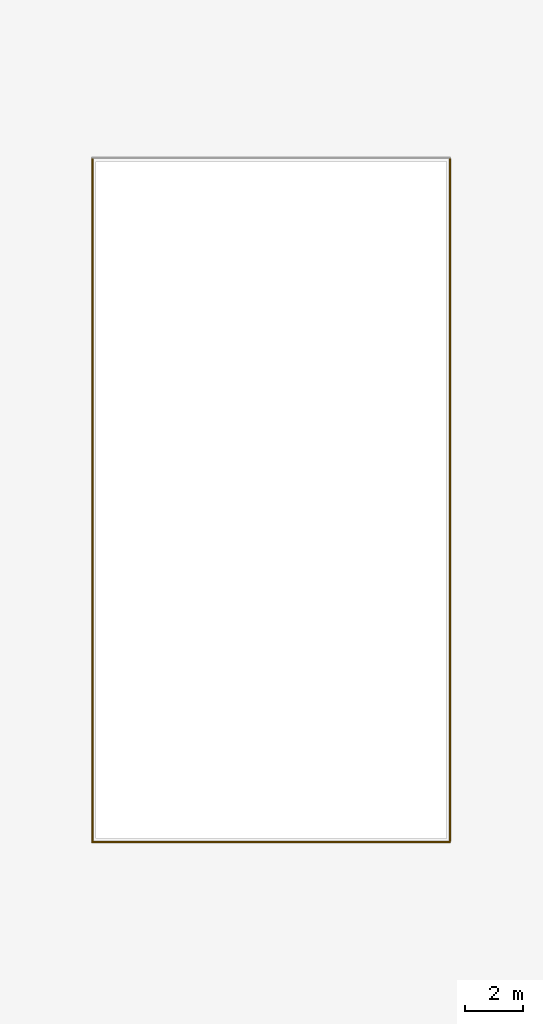
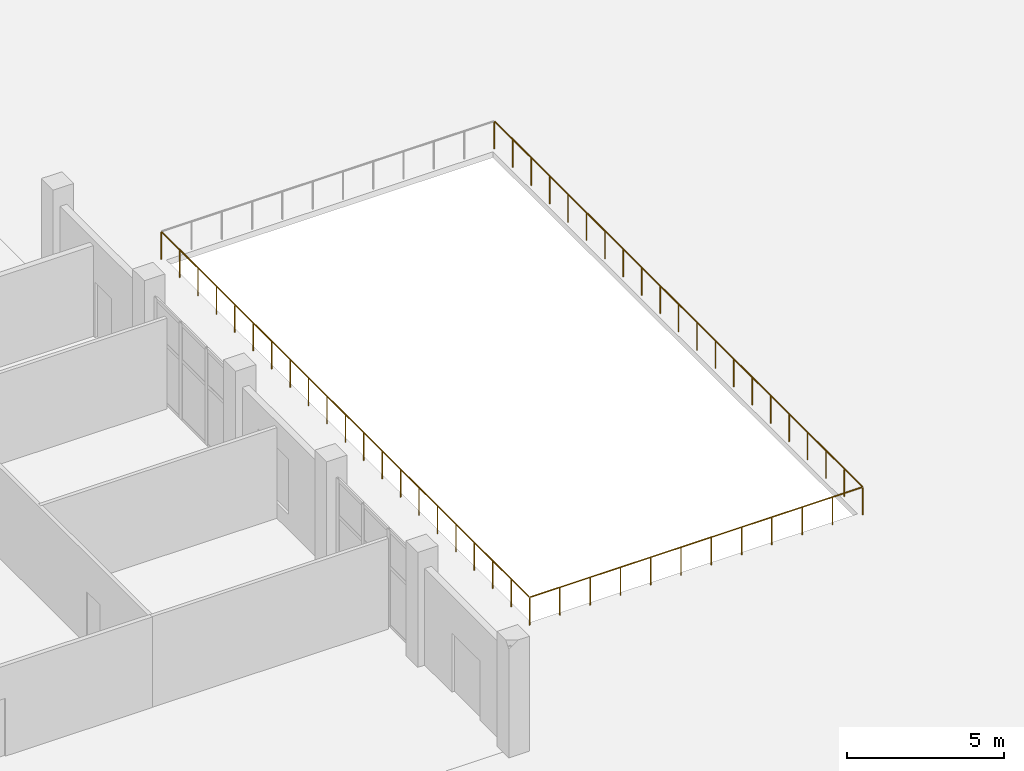
# One storey, part 120 of 132: 3 railings.
"""IFC4 building model written with IfcOpenShell, lengths in metres."""

from ifc_helpers import new_model, si_unit, direction, frame, origin, origin_2d, place, context, subcontext, project, spatial, circle, extrude, material, type_object, element, save


model = new_model("IFC4")

# Units and contexts
model_context = context("Model", 3, precision=1e-05, world=origin(), true_north=direction((0.0, 1.0)))
body_context = subcontext(model_context, "Body", "Model", "MODEL_VIEW")
ifc_project = project(units=[si_unit("LENGTHUNIT", "METRE"), si_unit("AREAUNIT", "SQUARE_METRE"), si_unit("VOLUMEUNIT", "CUBIC_METRE"), si_unit("PLANEANGLEUNIT", "RADIAN"), si_unit("MASSUNIT", "GRAM", prefix="KILO")], contexts=[model_context])

# Site, building, storey
site_placement = place(None, origin())
site = spatial("IfcSite", under=ifc_project, at=site_placement, CompositionType="ELEMENT")
building_placement = place(site_placement, origin())
building = spatial("IfcBuilding", under=site, at=building_placement, Name="Tanwirah Colonnade Gardens", CompositionType="ELEMENT")
storey_placement = place(building_placement, origin())
storey = spatial("IfcBuildingStorey", under=building, at=storey_placement, Name="L00", CompositionType="ELEMENT", Elevation=0.0)

# Railings
ifc_material = material(Name="Powder-coated galvanized steel", Category="steel")
railing_type = type_object("IfcRailingType", Name="GRD-ST110", PredefinedType="GUARDRAIL", material=ifc_material)
railing_1_placement = place(storey_placement, frame((111.8798828125, 45.47998046875, 0.0)))
element("IfcRailing", 1, at=railing_1_placement, inside=storey, type_object=railing_type, Name="Courtyard Sunken Garden Perimeter Guard 2.1", PredefinedType="GUARDRAIL", context=body_context, shape_type="SweptSolid", body=[
    extrude(circle(Radius=0.02392578125, at=origin_2d()), frame((0.03125, 0.0, 1.076171875), z_axis=(1.0, 0.0, 0.0), x_axis=(0.0, 1.0, 0.0)), (0.0, 0.0, 1.0), 12.177734375),
    extrude(circle(Radius=0.02099609375, at=origin_2d()), origin(), (0.0, 0.0, 1.0), 1.049072265625),
    extrude(circle(Radius=0.02099609375, at=origin_2d()), frame((1.11279296875, 0.0, 0.0)), (0.0, 0.0, 1.0), 1.049072265625),
    extrude(circle(Radius=0.02099609375, at=origin_2d()), frame((2.2255859375, 0.0, 0.0)), (0.0, 0.0, 1.0), 1.049072265625),
    extrude(circle(Radius=0.02099609375, at=origin_2d()), frame((3.338134765625, 0.0, 0.0)), (0.0, 0.0, 1.0), 1.049072265625),
    extrude(circle(Radius=0.02099609375, at=origin_2d()), frame((4.450927734375, 0.0, 0.0)), (0.0, 0.0, 1.0), 1.049072265625),
    extrude(circle(Radius=0.02099609375, at=origin_2d()), frame((5.563720703125, 0.0, 0.0)), (0.0, 0.0, 1.0), 1.049072265625),
    extrude(circle(Radius=0.02099609375, at=origin_2d()), frame((6.676513671875, 0.0, 0.0)), (0.0, 0.0, 1.0), 1.049072265625),
    extrude(circle(Radius=0.02099609375, at=origin_2d()), frame((7.789306640625, 0.0, 0.0)), (0.0, 0.0, 1.0), 1.049072265625),
    extrude(circle(Radius=0.02099609375, at=origin_2d()), frame((8.902099609375, 0.0, 0.0)), (0.0, 0.0, 1.0), 1.049072265625),
    extrude(circle(Radius=0.02099609375, at=origin_2d()), frame((10.0146484375, 0.0, 0.0)), (0.0, 0.0, 1.0), 1.049072265625),
    extrude(circle(Radius=0.02099609375, at=origin_2d()), frame((11.12744140625, 0.0, 0.0)), (0.0, 0.0, 1.0), 1.049072265625),
    extrude(circle(Radius=0.02099609375, at=origin_2d()), frame((12.240234375, 0.0, 0.0)), (0.0, 0.0, 1.0), 1.049072265625),
])
railing_2_placement = place(storey_placement, frame((124.1201171875, 45.47998046875, 0.0)))
element("IfcRailing", 2, at=railing_2_placement, inside=storey, type_object=railing_type, Name="Courtyard Sunken Garden Perimeter Guard 2.2", PredefinedType="GUARDRAIL", context=body_context, shape_type="SweptSolid", body=[
    extrude(circle(Radius=0.02392578125, at=origin_2d()), frame((0.0, 0.03125, 1.076171875), z_axis=(0.0, 1.0, 0.0), x_axis=(-1.0, 0.0, 0.0)), (0.0, 0.0, 1.0), 23.37744140625),
    extrude(circle(Radius=0.02099609375, at=origin_2d()), origin(), (0.0, 0.0, 1.0), 1.049072265625),
    extrude(circle(Radius=0.02099609375, at=origin_2d()), frame((0.0, 1.171875, 0.0)), (0.0, 0.0, 1.0), 1.049072265625),
    extrude(circle(Radius=0.02099609375, at=origin_2d()), frame((0.0, 2.343994140625, 0.0)), (0.0, 0.0, 1.0), 1.049072265625),
    extrude(circle(Radius=0.02099609375, at=origin_2d()), frame((0.0, 3.51611328125, 0.0)), (0.0, 0.0, 1.0), 1.049072265625),
    extrude(circle(Radius=0.02099609375, at=origin_2d()), frame((0.0, 4.68798828125, 0.0)), (0.0, 0.0, 1.0), 1.049072265625),
    extrude(circle(Radius=0.02099609375, at=origin_2d()), frame((0.0, 5.85986328125, 0.0)), (0.0, 0.0, 1.0), 1.049072265625),
    extrude(circle(Radius=0.02099609375, at=origin_2d()), frame((0.0, 7.031982421875, 0.0)), (0.0, 0.0, 1.0), 1.049072265625),
    extrude(circle(Radius=0.02099609375, at=origin_2d()), frame((0.0, 8.2041015625, 0.0)), (0.0, 0.0, 1.0), 1.049072265625),
    extrude(circle(Radius=0.02099609375, at=origin_2d()), frame((0.0, 9.3759765625, 0.0)), (0.0, 0.0, 1.0), 1.049072265625),
    extrude(circle(Radius=0.02099609375, at=origin_2d()), frame((0.0, 10.5478515625, 0.0)), (0.0, 0.0, 1.0), 1.049072265625),
    extrude(circle(Radius=0.02099609375, at=origin_2d()), frame((0.0, 11.719970703125, 0.0)), (0.0, 0.0, 1.0), 1.049072265625),
    extrude(circle(Radius=0.02099609375, at=origin_2d()), frame((0.0, 12.89208984375, 0.0)), (0.0, 0.0, 1.0), 1.049072265625),
    extrude(circle(Radius=0.02099609375, at=origin_2d()), frame((0.0, 14.06396484375, 0.0)), (0.0, 0.0, 1.0), 1.049072265625),
    extrude(circle(Radius=0.02099609375, at=origin_2d()), frame((0.0, 15.23583984375, 0.0)), (0.0, 0.0, 1.0), 1.049072265625),
    extrude(circle(Radius=0.02099609375, at=origin_2d()), frame((0.0, 16.407958984375, 0.0)), (0.0, 0.0, 1.0), 1.049072265625),
    extrude(circle(Radius=0.02099609375, at=origin_2d()), frame((0.0, 17.580078125, 0.0)), (0.0, 0.0, 1.0), 1.049072265625),
    extrude(circle(Radius=0.02099609375, at=origin_2d()), frame((0.0, 18.751953125, 0.0)), (0.0, 0.0, 1.0), 1.049072265625),
    extrude(circle(Radius=0.02099609375, at=origin_2d()), frame((0.0, 19.923828125, 0.0)), (0.0, 0.0, 1.0), 1.049072265625),
    extrude(circle(Radius=0.02099609375, at=origin_2d()), frame((0.0, 21.095947265625, 0.0)), (0.0, 0.0, 1.0), 1.049072265625),
    extrude(circle(Radius=0.02099609375, at=origin_2d()), frame((0.0, 22.26806640625, 0.0)), (0.0, 0.0, 1.0), 1.049072265625),
    extrude(circle(Radius=0.02099609375, at=origin_2d()), frame((0.0, 23.43994140625, 0.0)), (0.0, 0.0, 1.0), 1.049072265625),
])
railing_3_placement = place(storey_placement, frame((111.8798828125, 68.919921875, 0.0)))
element("IfcRailing", 3, at=railing_3_placement, inside=storey, type_object=railing_type, Name="Courtyard Sunken Garden Perimeter Guard 2.4", PredefinedType="GUARDRAIL", context=body_context, shape_type="SweptSolid", body=[
    extrude(circle(Radius=0.02392578125, at=origin_2d()), frame((0.0, -0.03125, 1.076171875), z_axis=(0.0, -1.0, 0.0), x_axis=(1.0, 0.0, 0.0)), (0.0, 0.0, 1.0), 23.37744140625),
    extrude(circle(Radius=0.02099609375, at=origin_2d()), origin(), (0.0, 0.0, 1.0), 1.049072265625),
    extrude(circle(Radius=0.02099609375, at=origin_2d()), frame((0.0, -1.171875, 0.0)), (0.0, 0.0, 1.0), 1.049072265625),
    extrude(circle(Radius=0.02099609375, at=origin_2d()), frame((0.0, -2.343994140625, 0.0)), (0.0, 0.0, 1.0), 1.049072265625),
    extrude(circle(Radius=0.02099609375, at=origin_2d()), frame((0.0, -3.51611328125, 0.0)), (0.0, 0.0, 1.0), 1.049072265625),
    extrude(circle(Radius=0.02099609375, at=origin_2d()), frame((0.0, -4.68798828125, 0.0)), (0.0, 0.0, 1.0), 1.049072265625),
    extrude(circle(Radius=0.02099609375, at=origin_2d()), frame((0.0, -5.85986328125, 0.0)), (0.0, 0.0, 1.0), 1.049072265625),
    extrude(circle(Radius=0.02099609375, at=origin_2d()), frame((0.0, -7.031982421875, 0.0)), (0.0, 0.0, 1.0), 1.049072265625),
    extrude(circle(Radius=0.02099609375, at=origin_2d()), frame((0.0, -8.2041015625, 0.0)), (0.0, 0.0, 1.0), 1.049072265625),
    extrude(circle(Radius=0.02099609375, at=origin_2d()), frame((0.0, -9.3759765625, 0.0)), (0.0, 0.0, 1.0), 1.049072265625),
    extrude(circle(Radius=0.02099609375, at=origin_2d()), frame((0.0, -10.5478515625, 0.0)), (0.0, 0.0, 1.0), 1.049072265625),
    extrude(circle(Radius=0.02099609375, at=origin_2d()), frame((0.0, -11.719970703125, 0.0)), (0.0, 0.0, 1.0), 1.049072265625),
    extrude(circle(Radius=0.02099609375, at=origin_2d()), frame((0.0, -12.89208984375, 0.0)), (0.0, 0.0, 1.0), 1.049072265625),
    extrude(circle(Radius=0.02099609375, at=origin_2d()), frame((0.0, -14.06396484375, 0.0)), (0.0, 0.0, 1.0), 1.049072265625),
    extrude(circle(Radius=0.02099609375, at=origin_2d()), frame((0.0, -15.23583984375, 0.0)), (0.0, 0.0, 1.0), 1.049072265625),
    extrude(circle(Radius=0.02099609375, at=origin_2d()), frame((0.0, -16.407958984375, 0.0)), (0.0, 0.0, 1.0), 1.049072265625),
    extrude(circle(Radius=0.02099609375, at=origin_2d()), frame((0.0, -17.580078125, 0.0)), (0.0, 0.0, 1.0), 1.049072265625),
    extrude(circle(Radius=0.02099609375, at=origin_2d()), frame((0.0, -18.751953125, 0.0)), (0.0, 0.0, 1.0), 1.049072265625),
    extrude(circle(Radius=0.02099609375, at=origin_2d()), frame((0.0, -19.923828125, 0.0)), (0.0, 0.0, 1.0), 1.049072265625),
    extrude(circle(Radius=0.02099609375, at=origin_2d()), frame((0.0, -21.095947265625, 0.0)), (0.0, 0.0, 1.0), 1.049072265625),
    extrude(circle(Radius=0.02099609375, at=origin_2d()), frame((0.0, -22.26806640625, 0.0)), (0.0, 0.0, 1.0), 1.049072265625),
    extrude(circle(Radius=0.02099609375, at=origin_2d()), frame((0.0, -23.43994140625, 0.0)), (0.0, 0.0, 1.0), 1.049072265625),
])

save(model, "model.ifc")
